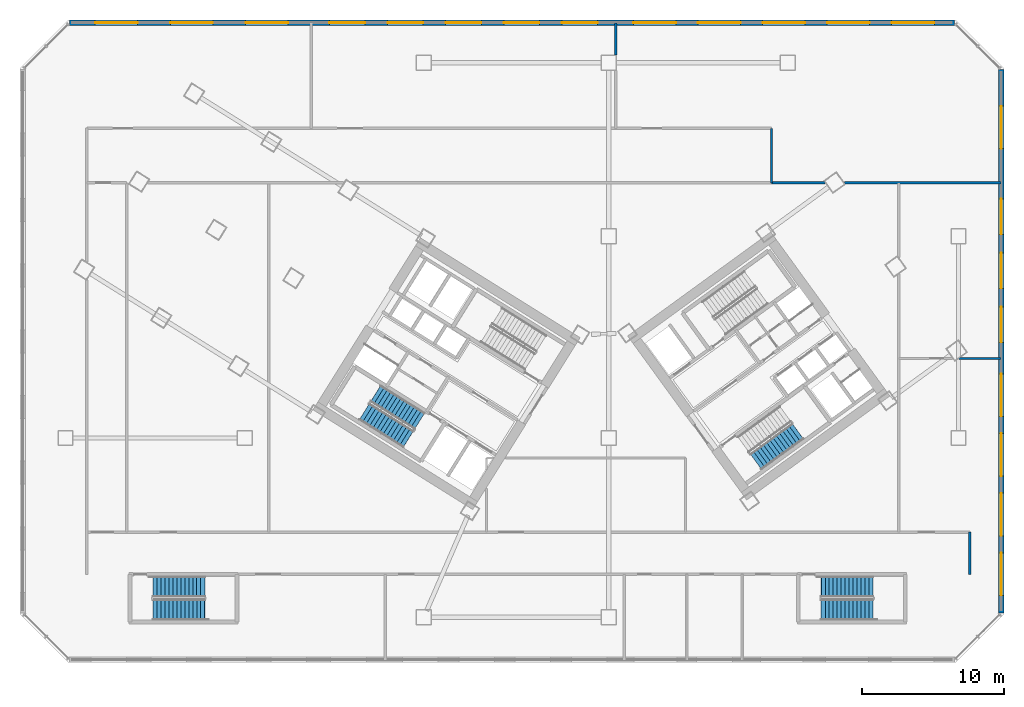
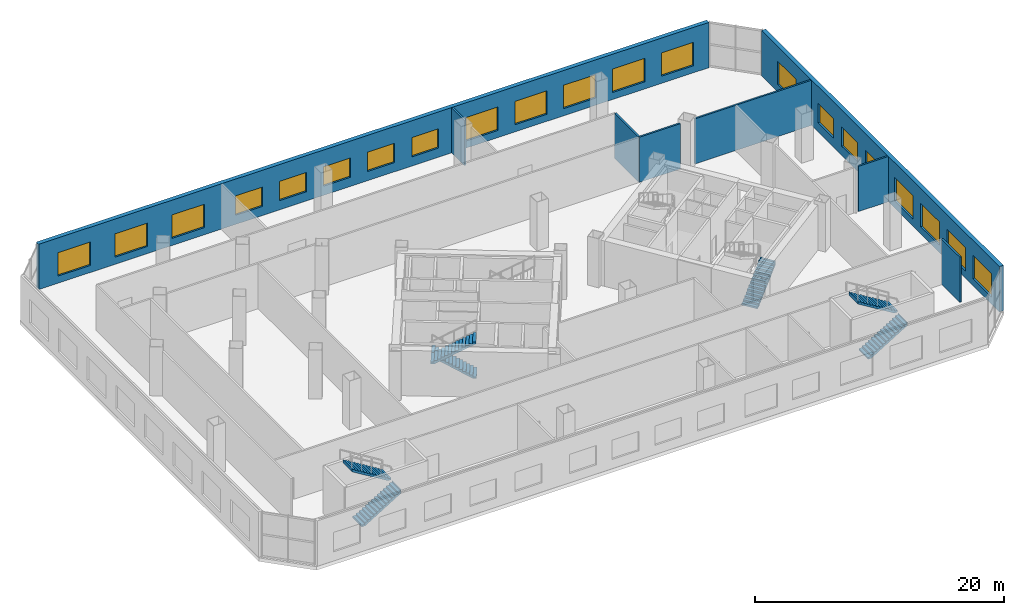
# One storey, part 14 of 22: 21 windows, 8 walls, 7 stair flights, 21 openings, 4 elements without a shape of their own.
"""IFC4 building model written with IfcOpenShell, lengths in metres."""

from ifc_helpers import new_model, si_unit, direction, frame, frame_2d, origin, place, context, subcontext, project, spatial, polyline, rectangle, outline, extrude, source, transform, mapped, material, layer, layer_set, type_object, element, fill, aggregate, save


model = new_model("IFC4")

# Units and contexts
model_context = context("Model", 3, precision=1e-05, world=origin(), true_north=direction((0.0, 1.0)))
body_context = subcontext(model_context, "Body", "Model", "MODEL_VIEW")
ifc_project = project(units=[si_unit("LENGTHUNIT", "METRE"), si_unit("AREAUNIT", "SQUARE_METRE"), si_unit("VOLUMEUNIT", "CUBIC_METRE"), si_unit("PLANEANGLEUNIT", "RADIAN"), si_unit("MASSUNIT", "GRAM", prefix="KILO")], contexts=[model_context])

# Site, building, storey
site_placement = place(None, origin())
site = spatial("IfcSite", under=ifc_project, at=site_placement, CompositionType="ELEMENT")
building_placement = place(site_placement, origin())
building = spatial("IfcBuilding", under=site, at=building_placement, Name="Tlacorven Tower", CompositionType="ELEMENT")
storey_placement = place(building_placement, frame((0.0, 0.0, 5.39990234375)))
storey = spatial("IfcBuildingStorey", under=building, at=storey_placement, Name="L01", CompositionType="ELEMENT", Elevation=5.39990234375)

# Walls
ifc_material_1 = material(Name="Gypsum plasterboard acoustic partition", Category="gypsum")
ifc_layer_1 = layer(ifc_material_1, 0.159912109375)
ifc_layer_set_1 = layer_set([ifc_layer_1], Name="Gypsum plasterboard acoustic partition")
wall_type_1 = type_object("IfcWallType", Name="WL-DEM-160", PredefinedType="PARTITIONING", material=ifc_layer_set_1)
wall_1_placement = place(storey_placement, frame((54.25, 35.14990234375, 0.0), z_axis=(0.0, 0.0, 1.0), x_axis=(0.0, 1.0, 0.0)))
element("IfcWall", 1, at=wall_1_placement, inside=storey, type_object=wall_type_1, Name="L01 partition 78", PredefinedType="PARTITIONING", context=body_context, shape_type="SweptSolid", body=[
    extrude(rectangle(XDim=3.830078125, YDim=0.159912109375, at=frame_2d((1.9150390625, 0.0))), origin(), (0.0, 0.0, 1.0), 4.440185546875),
])
wall_2_placement = place(storey_placement, frame((43.2900390625, 44.152099609375, 0.0), z_axis=(0.0, 0.0, 1.0), x_axis=(0.0, 1.0, 0.0)))
element("IfcWall", 2, at=wall_2_placement, inside=storey, type_object=wall_type_1, Name="L01 partition 81", PredefinedType="PARTITIONING", context=body_context, shape_type="SweptSolid", body=[
    extrude(rectangle(XDim=2.247802734375, YDim=0.159912109375, at=frame_2d((1.1240234375, 0.0))), origin(), (0.0, 0.0, 1.0), 4.440185546875),
])
wall_3_placement = place(storey_placement, frame((54.25, 35.14990234375, 0.0), z_axis=(0.0, 0.0, 1.0), x_axis=(1.0, 0.0, 0.0)))
element("IfcWall", 3, at=wall_3_placement, inside=storey, type_object=wall_type_1, Name="L01 partition 84", PredefinedType="PARTITIONING", context=body_context, shape_type="SweptSolid", body=[
    extrude(rectangle(XDim=3.764892578125, YDim=0.159912109375, at=frame_2d((1.88232421875, 0.0))), origin(), (0.0, 0.0, 1.0), 4.440185546875),
])
wall_4_placement = place(storey_placement, frame((59.37939453125, 35.14990234375, 0.0), z_axis=(0.0, 0.0, 1.0), x_axis=(1.0, 0.0, 0.0)))
element("IfcWall", 4, at=wall_4_placement, inside=storey, type_object=wall_type_1, Name="L01 partition 84", PredefinedType="PARTITIONING", context=body_context, shape_type="SweptSolid", body=[
    extrude(rectangle(XDim=11.0205078125, YDim=0.159912109375, at=frame_2d((5.51025390625, 0.0))), origin(), (0.0, 0.0, 1.0), 4.440185546875),
])
wall_5_placement = place(storey_placement, frame((68.199951171875, 7.6201171875, 0.0), z_axis=(0.0, 0.0, 1.0), x_axis=(0.0, 1.0, 0.0)))
element("IfcWall", 5, at=wall_5_placement, inside=storey, type_object=wall_type_1, Name="L01 partition 85", PredefinedType="PARTITIONING", context=body_context, shape_type="SweptSolid", body=[
    extrude(rectangle(XDim=2.9599609375, YDim=0.159912109375, at=frame_2d((1.47998046875, 0.0))), origin(), (0.0, 0.0, 1.0), 4.440185546875),
])
wall_6_placement = place(storey_placement, frame((67.445068359375, 22.800048828125, 0.0), z_axis=(0.0, 0.0, 1.0), x_axis=(1.0, 0.0, 0.0)))
element("IfcWall", 6, at=wall_6_placement, inside=storey, type_object=wall_type_1, Name="L01 partition 86", PredefinedType="PARTITIONING", context=body_context, shape_type="SweptSolid", body=[
    extrude(rectangle(XDim=2.954833984375, YDim=0.159912109375, at=frame_2d((1.4775390625, 0.0))), origin(), (0.0, 0.0, 1.0), 4.440185546875),
])

# Wall, openings, windows
ifc_material_2 = material(Name="Precast concrete C45/55", Category="concrete")
ifc_layer_2 = layer(ifc_material_2, 0.3798828125)
ifc_layer_set_2 = layer_set([ifc_layer_2], Name="Precast concrete C45/55")
wall_type_2 = type_object("IfcWallType", Name="WL-EXT-380", PredefinedType="STANDARD", material=ifc_layer_set_2)
wall_7_placement = place(storey_placement, frame((4.8828125, 46.39990234375, 0.0), z_axis=(0.0, 0.0, 1.0), x_axis=(1.0, 0.0, 0.0)))
wall_7 = element("IfcWall", 7, at=wall_7_placement, inside=storey, type_object=wall_type_2, Name="L01 Podium Masonry-Frame Facade Wall 4", PredefinedType="STANDARD", context=body_context, shape_type="SweptSolid", body=[
    extrude(rectangle(XDim=62.234375, YDim=0.3798828125, at=frame_2d((31.1171875, 0.0))), origin(), (0.0, 0.0, 1.0), 4.4501953125),
])
opening_1_placement = place(wall_7_placement, frame((1.796142578125, 0.0, 0.699951171875)))
opening_1 = element("IfcOpeningElement", 8, at=opening_1_placement, cuts=wall_7, Name="Opening WN17", PredefinedType="OPENING", context=body_context, shape_type="SweptSolid", body=[
    extrude(rectangle(XDim=3.0, YDim=2.300048828125, at=frame_2d((1.5, 1.14990234375))), frame((0.0, 0.199951171875, 0.0), z_axis=(0.0, -1.0, 0.0), x_axis=(1.0, 0.0, 0.0)), (0.0, 0.0, 1.0), 0.39990234375),
])
opening_2_placement = place(wall_7_placement, frame((7.088623046875, 0.0, 0.699951171875)))
opening_2 = element("IfcOpeningElement", 9, at=opening_2_placement, cuts=wall_7, Name="Opening WN17", PredefinedType="OPENING", context=body_context, shape_type="SweptSolid", body=[
    extrude(rectangle(XDim=3.0, YDim=2.300048828125, at=frame_2d((1.5, 1.14990234375))), frame((0.0, 0.199951171875, 0.0), z_axis=(0.0, -1.0, 0.0), x_axis=(1.0, 0.0, 0.0)), (0.0, 0.0, 1.0), 0.39990234375),
])
opening_3_placement = place(wall_7_placement, frame((12.381103515625, 0.0, 0.699951171875)))
opening_3 = element("IfcOpeningElement", 10, at=opening_3_placement, cuts=wall_7, Name="Opening WN17", PredefinedType="OPENING", context=body_context, shape_type="SweptSolid", body=[
    extrude(rectangle(XDim=3.0, YDim=2.300048828125, at=frame_2d((1.5, 1.14990234375))), frame((0.0, 0.199951171875, 0.0), z_axis=(0.0, -1.0, 0.0), x_axis=(1.0, 0.0, 0.0)), (0.0, 0.0, 1.0), 0.39990234375),
])
opening_4_placement = place(wall_7_placement, frame((18.28125, 0.0, 0.89990234375)))
opening_4 = element("IfcOpeningElement", 11, at=opening_4_placement, cuts=wall_7, Name="Opening WN18", PredefinedType="OPENING", context=body_context, shape_type="SweptSolid", body=[
    extrude(rectangle(XDim=2.5, YDim=1.89990234375, at=frame_2d((1.25, 0.949951171875))), frame((0.0, 0.199951171875, 0.0), z_axis=(0.0, -1.0, 0.0), x_axis=(1.0, 0.0, 0.0)), (0.0, 0.0, 1.0), 0.39990234375),
])
opening_5_placement = place(wall_7_placement, frame((22.369140625, 0.0, 0.89990234375)))
opening_5 = element("IfcOpeningElement", 12, at=opening_5_placement, cuts=wall_7, Name="Opening WN18", PredefinedType="OPENING", context=body_context, shape_type="SweptSolid", body=[
    extrude(rectangle(XDim=2.5, YDim=1.89990234375, at=frame_2d((1.25, 0.949951171875))), frame((0.0, 0.199951171875, 0.0), z_axis=(0.0, -1.0, 0.0), x_axis=(1.0, 0.0, 0.0)), (0.0, 0.0, 1.0), 0.39990234375),
])
opening_6_placement = place(wall_7_placement, frame((26.457275390625, 0.0, 0.89990234375)))
opening_6 = element("IfcOpeningElement", 13, at=opening_6_placement, cuts=wall_7, Name="Opening WN18", PredefinedType="OPENING", context=body_context, shape_type="SweptSolid", body=[
    extrude(rectangle(XDim=2.5, YDim=1.89990234375, at=frame_2d((1.25, 0.949951171875))), frame((0.0, 0.199951171875, 0.0), z_axis=(0.0, -1.0, 0.0), x_axis=(1.0, 0.0, 0.0)), (0.0, 0.0, 1.0), 0.39990234375),
])
opening_7_placement = place(wall_7_placement, frame((30.545166015625, 0.0, 0.89990234375)))
opening_7 = element("IfcOpeningElement", 14, at=opening_7_placement, cuts=wall_7, Name="Opening WN18", PredefinedType="OPENING", context=body_context, shape_type="SweptSolid", body=[
    extrude(rectangle(XDim=2.5, YDim=1.89990234375, at=frame_2d((1.25, 0.949951171875))), frame((0.0, 0.199951171875, 0.0), z_axis=(0.0, -1.0, 0.0), x_axis=(1.0, 0.0, 0.0)), (0.0, 0.0, 1.0), 0.39990234375),
])
opening_8_placement = place(wall_7_placement, frame((34.63330078125, 0.0, 0.89990234375)))
opening_8 = element("IfcOpeningElement", 15, at=opening_8_placement, cuts=wall_7, Name="Opening WN18", PredefinedType="OPENING", context=body_context, shape_type="SweptSolid", body=[
    extrude(rectangle(XDim=2.5, YDim=1.89990234375, at=frame_2d((1.25, 0.949951171875))), frame((0.0, 0.199951171875, 0.0), z_axis=(0.0, -1.0, 0.0), x_axis=(1.0, 0.0, 0.0)), (0.0, 0.0, 1.0), 0.39990234375),
])
opening_9_placement = place(wall_7_placement, frame((39.656982421875, 0.0, 0.699951171875)))
opening_9 = element("IfcOpeningElement", 16, at=opening_9_placement, cuts=wall_7, Name="Opening WN17", PredefinedType="OPENING", context=body_context, shape_type="SweptSolid", body=[
    extrude(rectangle(XDim=3.0, YDim=2.300048828125, at=frame_2d((1.5, 1.14990234375))), frame((0.0, 0.199951171875, 0.0), z_axis=(0.0, -1.0, 0.0), x_axis=(1.0, 0.0, 0.0)), (0.0, 0.0, 1.0), 0.39990234375),
])
opening_10_placement = place(wall_7_placement, frame((44.1962890625, 0.0, 0.699951171875)))
opening_10 = element("IfcOpeningElement", 17, at=opening_10_placement, cuts=wall_7, Name="Opening WN17", PredefinedType="OPENING", context=body_context, shape_type="SweptSolid", body=[
    extrude(rectangle(XDim=3.0, YDim=2.300048828125, at=frame_2d((1.5, 1.14990234375))), frame((0.0, 0.199951171875, 0.0), z_axis=(0.0, -1.0, 0.0), x_axis=(1.0, 0.0, 0.0)), (0.0, 0.0, 1.0), 0.39990234375),
])
opening_11_placement = place(wall_7_placement, frame((48.735595703125, 0.0, 0.699951171875)))
opening_11 = element("IfcOpeningElement", 18, at=opening_11_placement, cuts=wall_7, Name="Opening WN17", PredefinedType="OPENING", context=body_context, shape_type="SweptSolid", body=[
    extrude(rectangle(XDim=3.0, YDim=2.300048828125, at=frame_2d((1.5, 1.14990234375))), frame((0.0, 0.199951171875, 0.0), z_axis=(0.0, -1.0, 0.0), x_axis=(1.0, 0.0, 0.0)), (0.0, 0.0, 1.0), 0.39990234375),
])
opening_12_placement = place(wall_7_placement, frame((53.275146484375, 0.0, 0.699951171875)))
opening_12 = element("IfcOpeningElement", 19, at=opening_12_placement, cuts=wall_7, Name="Opening WN17", PredefinedType="OPENING", context=body_context, shape_type="SweptSolid", body=[
    extrude(rectangle(XDim=3.0, YDim=2.300048828125, at=frame_2d((1.5, 1.14990234375))), frame((0.0, 0.199951171875, 0.0), z_axis=(0.0, -1.0, 0.0), x_axis=(1.0, 0.0, 0.0)), (0.0, 0.0, 1.0), 0.39990234375),
])
opening_13_placement = place(wall_7_placement, frame((57.814697265625, 0.0, 0.699951171875)))
opening_13 = element("IfcOpeningElement", 20, at=opening_13_placement, cuts=wall_7, Name="Opening WN17", PredefinedType="OPENING", context=body_context, shape_type="SweptSolid", body=[
    extrude(rectangle(XDim=3.0, YDim=2.300048828125, at=frame_2d((1.5, 1.14990234375))), frame((0.0, 0.199951171875, 0.0), z_axis=(0.0, -1.0, 0.0), x_axis=(1.0, 0.0, 0.0)), (0.0, 0.0, 1.0), 0.39990234375),
])
ifc_material_3 = material(Name="Dark solar low-E double glazing in anodised aluminium frame", Category="aluminium")
window_type_1 = type_object("IfcWindowType", Name="WN-STN-3000X2600", PartitioningType="SINGLE_PANEL", PredefinedType="WINDOW", material=ifc_material_3)
shared_shape_1 = source(origin(), body_context, "Body", "SweptSolid", [
    extrude(rectangle(XDim=3.0, YDim=2.300048828125, at=frame_2d((1.5, 1.14990234375))), frame((0.0, 0.030029296875, 0.0), z_axis=(0.0, -1.0, 0.0), x_axis=(1.0, 0.0, 0.0)), (0.0, 0.0, 1.0), 0.06005859375),
])
window_1_placement = place(opening_1_placement, origin())
window_1 = element("IfcWindow", 21, at=window_1_placement, inside=storey, type_object=window_type_1, Name="L01 Podium Recessed Facade Window 4.1", OverallHeight=2.300048828125, OverallWidth=3.0, PartitioningType="SINGLE_PANEL", PredefinedType="WINDOW", context=body_context, shape_type="MappedRepresentation", body=[
    mapped(shared_shape_1, transform((0.0, 0.0, 0.0), scale=1.0)),
])
fill(opening_1, window_1)
window_2_placement = place(opening_2_placement, origin())
window_2 = element("IfcWindow", 22, at=window_2_placement, inside=storey, type_object=window_type_1, Name="L01 Podium Recessed Facade Window 4.2", OverallHeight=2.300048828125, OverallWidth=3.0, PartitioningType="SINGLE_PANEL", PredefinedType="WINDOW", context=body_context, shape_type="MappedRepresentation", body=[
    mapped(shared_shape_1, transform((0.0, 0.0, 0.0), scale=1.0)),
])
fill(opening_2, window_2)
window_3_placement = place(opening_3_placement, origin())
window_3 = element("IfcWindow", 23, at=window_3_placement, inside=storey, type_object=window_type_1, Name="L01 Podium Recessed Facade Window 4.3", OverallHeight=2.300048828125, OverallWidth=3.0, PartitioningType="SINGLE_PANEL", PredefinedType="WINDOW", context=body_context, shape_type="MappedRepresentation", body=[
    mapped(shared_shape_1, transform((0.0, 0.0, 0.0), scale=1.0)),
])
fill(opening_3, window_3)
window_4_placement = place(opening_9_placement, origin())
window_4 = element("IfcWindow", 24, at=window_4_placement, inside=storey, type_object=window_type_1, Name="L01 Podium Recessed Facade Window 4.9", OverallHeight=2.300048828125, OverallWidth=3.0, PartitioningType="SINGLE_PANEL", PredefinedType="WINDOW", context=body_context, shape_type="MappedRepresentation", body=[
    mapped(shared_shape_1, transform((0.0, 0.0, 0.0), scale=1.0)),
])
fill(opening_9, window_4)
window_5_placement = place(opening_10_placement, origin())
window_5 = element("IfcWindow", 25, at=window_5_placement, inside=storey, type_object=window_type_1, Name="L01 Podium Recessed Facade Window 4.10", OverallHeight=2.300048828125, OverallWidth=3.0, PartitioningType="SINGLE_PANEL", PredefinedType="WINDOW", context=body_context, shape_type="MappedRepresentation", body=[
    mapped(shared_shape_1, transform((0.0, 0.0, 0.0), scale=1.0)),
])
fill(opening_10, window_5)
window_6_placement = place(opening_11_placement, origin())
window_6 = element("IfcWindow", 26, at=window_6_placement, inside=storey, type_object=window_type_1, Name="L01 Podium Recessed Facade Window 4.11", OverallHeight=2.300048828125, OverallWidth=3.0, PartitioningType="SINGLE_PANEL", PredefinedType="WINDOW", context=body_context, shape_type="MappedRepresentation", body=[
    mapped(shared_shape_1, transform((0.0, 0.0, 0.0), scale=1.0)),
])
fill(opening_11, window_6)
window_7_placement = place(opening_12_placement, origin())
window_7 = element("IfcWindow", 27, at=window_7_placement, inside=storey, type_object=window_type_1, Name="L01 Podium Recessed Facade Window 4.12", OverallHeight=2.300048828125, OverallWidth=3.0, PartitioningType="SINGLE_PANEL", PredefinedType="WINDOW", context=body_context, shape_type="MappedRepresentation", body=[
    mapped(shared_shape_1, transform((0.0, 0.0, 0.0), scale=1.0)),
])
fill(opening_12, window_7)
window_8_placement = place(opening_13_placement, origin())
window_8 = element("IfcWindow", 28, at=window_8_placement, inside=storey, type_object=window_type_1, Name="L01 Podium Recessed Facade Window 4.13", OverallHeight=2.300048828125, OverallWidth=3.0, PartitioningType="SINGLE_PANEL", PredefinedType="WINDOW", context=body_context, shape_type="MappedRepresentation", body=[
    mapped(shared_shape_1, transform((0.0, 0.0, 0.0), scale=1.0)),
])
fill(opening_13, window_8)
window_type_2 = type_object("IfcWindowType", Name="WN-STN-2500X2000", PartitioningType="SINGLE_PANEL", PredefinedType="WINDOW", material=ifc_material_3)
shared_shape_2 = source(origin(), body_context, "Body", "SweptSolid", [
    extrude(rectangle(XDim=2.5, YDim=1.89990234375, at=frame_2d((1.25, 0.949951171875))), frame((0.0, 0.030029296875, 0.0), z_axis=(0.0, -1.0, 0.0), x_axis=(1.0, 0.0, 0.0)), (0.0, 0.0, 1.0), 0.06005859375),
])
window_9_placement = place(opening_4_placement, origin())
window_9 = element("IfcWindow", 29, at=window_9_placement, inside=storey, type_object=window_type_2, Name="L01 Podium Recessed Facade Window 4.4", OverallHeight=1.89990234375, OverallWidth=2.5, PartitioningType="SINGLE_PANEL", PredefinedType="WINDOW", context=body_context, shape_type="MappedRepresentation", body=[
    mapped(shared_shape_2, transform((0.0, 0.0, 0.0), scale=1.0)),
])
fill(opening_4, window_9)
window_10_placement = place(opening_5_placement, origin())
window_10 = element("IfcWindow", 30, at=window_10_placement, inside=storey, type_object=window_type_2, Name="L01 Podium Recessed Facade Window 4.5", OverallHeight=1.89990234375, OverallWidth=2.5, PartitioningType="SINGLE_PANEL", PredefinedType="WINDOW", context=body_context, shape_type="MappedRepresentation", body=[
    mapped(shared_shape_2, transform((0.0, 0.0, 0.0), scale=1.0)),
])
fill(opening_5, window_10)
window_11_placement = place(opening_6_placement, origin())
window_11 = element("IfcWindow", 31, at=window_11_placement, inside=storey, type_object=window_type_2, Name="L01 Podium Recessed Facade Window 4.6", OverallHeight=1.89990234375, OverallWidth=2.5, PartitioningType="SINGLE_PANEL", PredefinedType="WINDOW", context=body_context, shape_type="MappedRepresentation", body=[
    mapped(shared_shape_2, transform((0.0, 0.0, 0.0), scale=1.0)),
])
fill(opening_6, window_11)
window_12_placement = place(opening_7_placement, origin())
window_12 = element("IfcWindow", 32, at=window_12_placement, inside=storey, type_object=window_type_2, Name="L01 Podium Recessed Facade Window 4.7", OverallHeight=1.89990234375, OverallWidth=2.5, PartitioningType="SINGLE_PANEL", PredefinedType="WINDOW", context=body_context, shape_type="MappedRepresentation", body=[
    mapped(shared_shape_2, transform((0.0, 0.0, 0.0), scale=1.0)),
])
fill(opening_7, window_12)
window_13_placement = place(opening_8_placement, origin())
window_13 = element("IfcWindow", 33, at=window_13_placement, inside=storey, type_object=window_type_2, Name="L01 Podium Recessed Facade Window 4.8", OverallHeight=1.89990234375, OverallWidth=2.5, PartitioningType="SINGLE_PANEL", PredefinedType="WINDOW", context=body_context, shape_type="MappedRepresentation", body=[
    mapped(shared_shape_2, transform((0.0, 0.0, 0.0), scale=1.0)),
])
fill(opening_8, window_13)

wall_8_placement = place(storey_placement, frame((70.39990234375, 43.1171875, 0.0), z_axis=(0.0, 0.0, 1.0), x_axis=(0.0, -1.0, 0.0)))
wall_8 = element("IfcWall", 34, at=wall_8_placement, inside=storey, type_object=wall_type_2, Name="L01 Podium Masonry-Frame Facade Wall 6", PredefinedType="STANDARD", context=body_context, shape_type="SweptSolid", body=[
    extrude(rectangle(XDim=38.234375, YDim=0.3798828125, at=frame_2d((19.1171875, 0.0))), origin(), (0.0, 0.0, 1.0), 4.4501953125),
])
opening_14_placement = place(wall_8_placement, frame((2.568603515625, 0.0, 0.699951171875)))
opening_14 = element("IfcOpeningElement", 35, at=opening_14_placement, cuts=wall_8, Name="Opening WN17", PredefinedType="OPENING", context=body_context, shape_type="SweptSolid", body=[
    extrude(rectangle(XDim=3.0, YDim=2.300048828125, at=frame_2d((1.5, 1.14990234375))), frame((0.0, 0.199951171875, 0.0), z_axis=(0.0, -1.0, 0.0), x_axis=(1.0, 0.0, 0.0)), (0.0, 0.0, 1.0), 0.39990234375),
])
opening_15_placement = place(wall_8_placement, frame((9.095458984375, 0.0, 0.89990234375)))
opening_15 = element("IfcOpeningElement", 36, at=opening_15_placement, cuts=wall_8, Name="Opening WN18", PredefinedType="OPENING", context=body_context, shape_type="SweptSolid", body=[
    extrude(rectangle(XDim=2.5, YDim=1.89990234375, at=frame_2d((1.25, 0.949951171875))), frame((0.0, 0.199951171875, 0.0), z_axis=(0.0, -1.0, 0.0), x_axis=(1.0, 0.0, 0.0)), (0.0, 0.0, 1.0), 0.39990234375),
])
opening_16_placement = place(wall_8_placement, frame((12.89208984375, 0.0, 0.89990234375)))
opening_16 = element("IfcOpeningElement", 37, at=opening_16_placement, cuts=wall_8, Name="Opening WN18", PredefinedType="OPENING", context=body_context, shape_type="SweptSolid", body=[
    extrude(rectangle(XDim=2.5, YDim=1.89990234375, at=frame_2d((1.25, 0.949951171875))), frame((0.0, 0.199951171875, 0.0), z_axis=(0.0, -1.0, 0.0), x_axis=(1.0, 0.0, 0.0)), (0.0, 0.0, 1.0), 0.39990234375),
])
opening_17_placement = place(wall_8_placement, frame((16.688720703125, 0.0, 0.89990234375)))
opening_17 = element("IfcOpeningElement", 38, at=opening_17_placement, cuts=wall_8, Name="Opening WN18", PredefinedType="OPENING", context=body_context, shape_type="SweptSolid", body=[
    extrude(rectangle(XDim=2.5, YDim=1.89990234375, at=frame_2d((1.25, 0.949951171875))), frame((0.0, 0.199951171875, 0.0), z_axis=(0.0, -1.0, 0.0), x_axis=(1.0, 0.0, 0.0)), (0.0, 0.0, 1.0), 0.39990234375),
])
opening_18_placement = place(wall_8_placement, frame((21.3955078125, 0.0, 0.699951171875)))
opening_18 = element("IfcOpeningElement", 39, at=opening_18_placement, cuts=wall_8, Name="Opening WN17", PredefinedType="OPENING", context=body_context, shape_type="SweptSolid", body=[
    extrude(rectangle(XDim=3.0, YDim=2.300048828125, at=frame_2d((1.5, 1.14990234375))), frame((0.0, 0.199951171875, 0.0), z_axis=(0.0, -1.0, 0.0), x_axis=(1.0, 0.0, 0.0)), (0.0, 0.0, 1.0), 0.39990234375),
])
opening_19_placement = place(wall_8_placement, frame((25.59228515625, 0.0, 0.699951171875)))
opening_19 = element("IfcOpeningElement", 40, at=opening_19_placement, cuts=wall_8, Name="Opening WN17", PredefinedType="OPENING", context=body_context, shape_type="SweptSolid", body=[
    extrude(rectangle(XDim=3.0, YDim=2.300048828125, at=frame_2d((1.5, 1.14990234375))), frame((0.0, 0.199951171875, 0.0), z_axis=(0.0, -1.0, 0.0), x_axis=(1.0, 0.0, 0.0)), (0.0, 0.0, 1.0), 0.39990234375),
])
opening_20_placement = place(wall_8_placement, frame((29.7890625, 0.0, 0.699951171875)))
opening_20 = element("IfcOpeningElement", 41, at=opening_20_placement, cuts=wall_8, Name="Opening WN17", PredefinedType="OPENING", context=body_context, shape_type="SweptSolid", body=[
    extrude(rectangle(XDim=3.0, YDim=2.300048828125, at=frame_2d((1.5, 1.14990234375))), frame((0.0, 0.199951171875, 0.0), z_axis=(0.0, -1.0, 0.0), x_axis=(1.0, 0.0, 0.0)), (0.0, 0.0, 1.0), 0.39990234375),
])
opening_21_placement = place(wall_8_placement, frame((33.98583984375, 0.0, 0.699951171875)))
opening_21 = element("IfcOpeningElement", 42, at=opening_21_placement, cuts=wall_8, Name="Opening WN17", PredefinedType="OPENING", context=body_context, shape_type="SweptSolid", body=[
    extrude(rectangle(XDim=3.0, YDim=2.300048828125, at=frame_2d((1.5, 1.14990234375))), frame((0.0, 0.199951171875, 0.0), z_axis=(0.0, -1.0, 0.0), x_axis=(1.0, 0.0, 0.0)), (0.0, 0.0, 1.0), 0.39990234375),
])
window_14_placement = place(opening_14_placement, origin())
window_14 = element("IfcWindow", 43, at=window_14_placement, inside=storey, type_object=window_type_1, Name="L01 Podium Recessed Facade Window 6.1", OverallHeight=2.300048828125, OverallWidth=3.0, PartitioningType="SINGLE_PANEL", PredefinedType="WINDOW", context=body_context, shape_type="MappedRepresentation", body=[
    mapped(shared_shape_1, transform((0.0, 0.0, 0.0), scale=1.0)),
])
fill(opening_14, window_14)
window_15_placement = place(opening_18_placement, origin())
window_15 = element("IfcWindow", 44, at=window_15_placement, inside=storey, type_object=window_type_1, Name="L01 Podium Recessed Facade Window 6.5", OverallHeight=2.300048828125, OverallWidth=3.0, PartitioningType="SINGLE_PANEL", PredefinedType="WINDOW", context=body_context, shape_type="MappedRepresentation", body=[
    mapped(shared_shape_1, transform((0.0, 0.0, 0.0), scale=1.0)),
])
fill(opening_18, window_15)
window_16_placement = place(opening_19_placement, origin())
window_16 = element("IfcWindow", 45, at=window_16_placement, inside=storey, type_object=window_type_1, Name="L01 Podium Recessed Facade Window 6.6", OverallHeight=2.300048828125, OverallWidth=3.0, PartitioningType="SINGLE_PANEL", PredefinedType="WINDOW", context=body_context, shape_type="MappedRepresentation", body=[
    mapped(shared_shape_1, transform((0.0, 0.0, 0.0), scale=1.0)),
])
fill(opening_19, window_16)
window_17_placement = place(opening_20_placement, origin())
window_17 = element("IfcWindow", 46, at=window_17_placement, inside=storey, type_object=window_type_1, Name="L01 Podium Recessed Facade Window 6.7", OverallHeight=2.300048828125, OverallWidth=3.0, PartitioningType="SINGLE_PANEL", PredefinedType="WINDOW", context=body_context, shape_type="MappedRepresentation", body=[
    mapped(shared_shape_1, transform((0.0, 0.0, 0.0), scale=1.0)),
])
fill(opening_20, window_17)
window_18_placement = place(opening_21_placement, origin())
window_18 = element("IfcWindow", 47, at=window_18_placement, inside=storey, type_object=window_type_1, Name="L01 Podium Recessed Facade Window 6.8", OverallHeight=2.300048828125, OverallWidth=3.0, PartitioningType="SINGLE_PANEL", PredefinedType="WINDOW", context=body_context, shape_type="MappedRepresentation", body=[
    mapped(shared_shape_1, transform((0.0, 0.0, 0.0), scale=1.0)),
])
fill(opening_21, window_18)
window_19_placement = place(opening_15_placement, origin())
window_19 = element("IfcWindow", 48, at=window_19_placement, inside=storey, type_object=window_type_2, Name="L01 Podium Recessed Facade Window 6.2", OverallHeight=1.89990234375, OverallWidth=2.5, PartitioningType="SINGLE_PANEL", PredefinedType="WINDOW", context=body_context, shape_type="MappedRepresentation", body=[
    mapped(shared_shape_2, transform((0.0, 0.0, 0.0), scale=1.0)),
])
fill(opening_15, window_19)
window_20_placement = place(opening_16_placement, origin())
window_20 = element("IfcWindow", 49, at=window_20_placement, inside=storey, type_object=window_type_2, Name="L01 Podium Recessed Facade Window 6.3", OverallHeight=1.89990234375, OverallWidth=2.5, PartitioningType="SINGLE_PANEL", PredefinedType="WINDOW", context=body_context, shape_type="MappedRepresentation", body=[
    mapped(shared_shape_2, transform((0.0, 0.0, 0.0), scale=1.0)),
])
fill(opening_16, window_20)
window_21_placement = place(opening_17_placement, origin())
window_21 = element("IfcWindow", 50, at=window_21_placement, inside=storey, type_object=window_type_2, Name="L01 Podium Recessed Facade Window 6.4", OverallHeight=1.89990234375, OverallWidth=2.5, PartitioningType="SINGLE_PANEL", PredefinedType="WINDOW", context=body_context, shape_type="MappedRepresentation", body=[
    mapped(shared_shape_2, transform((0.0, 0.0, 0.0), scale=1.0)),
])
fill(opening_17, window_21)

# Stair, stair flights
ifc_material_4 = material(Name="Concrete C40/50", Category="concrete")
stair_type_1 = type_object("IfcStairType", Name="ST-CORE-DLG", PredefinedType="HALF_TURN_STAIR", material=ifc_material_4)
stair_1_placement = place(storey_placement, origin())
stair_1 = element("IfcStair", 51, at=stair_1_placement, inside=storey, type_object=stair_type_1, Name="L01 Protected Exit Stair West 1", PredefinedType="HALF_TURN_STAIR")
stair_flight_type_1 = type_object("IfcStairFlightType", Name="SFL-RC-1380", PredefinedType="STRAIGHT", material=ifc_material_4)
shared_shape_3 = source(origin(), body_context, "Body", "SweptSolid", [
    extrude(outline(polyline([(-0.0029296875, -0.0029296875), (-0.0029296875, 0.17138671875), (0.280029296875, 0.17138671875), (0.280029296875, 0.3427734375), (0.56005859375, 0.3427734375), (0.56005859375, 0.514404296875), (0.840087890625, 0.514404296875), (0.840087890625, 0.685791015625), (1.1201171875, 0.685791015625), (1.1201171875, 0.857177734375), (1.39990234375, 0.857177734375), (1.39990234375, 1.028564453125), (1.679931640625, 1.028564453125), (1.679931640625, 1.199951171875), (1.9599609375, 1.199951171875), (1.9599609375, 1.371337890625), (2.239990234375, 1.371337890625), (2.239990234375, 1.54296875), (2.52001953125, 1.54296875), (2.52001953125, 1.71435546875), (2.800048828125, 1.71435546875), (2.800048828125, 1.8857421875), (3.080078125, 1.8857421875), (3.080078125, 2.05712890625), (3.360107421875, 2.05712890625), (3.360107421875, 2.228515625), (3.639892578125, 2.228515625), (3.639892578125, 2.39990234375), (3.64306640625, 2.39990234375), (3.64306640625, 2.041015625), (3.639892578125, 2.041015625), (0.30615234375, 0.0), (0.30615234375, -0.0029296875), (-0.0029296875, -0.0029296875)])), frame((0.0, 0.68994140625, 0.0), z_axis=(0.0, -1.0, 0.0), x_axis=(1.0, 0.0, 0.0)), (0.0, 0.0, 1.0), 1.3798828125),
])
stair_flight_1_placement = place(storey_placement, frame((29.499755859375, 18.39453125, 0.0), z_axis=(0.0, 0.0, 1.0), x_axis=(-0.848048096156, 0.529919264233, 0.0)))
stair_flight_1 = element("IfcStairFlight", 52, at=stair_flight_1_placement, type_object=stair_flight_type_1, Name="ST-W1 flight 1", NumberOfRisers=14, NumberOfTreads=13, PredefinedType="STRAIGHT", RiserHeight=0.171428571, TreadLength=0.28, context=body_context, shape_type="MappedRepresentation", body=[
    mapped(shared_shape_3, transform((0.0, 0.0, 0.0), scale=1.0)),
])
stair_flight_2_placement = place(storey_placement, frame((25.6181640625, 19.051513671875, 2.400146484375), z_axis=(0.0, 0.0, 1.0), x_axis=(0.848048096156, -0.529919264233, 0.0)))
stair_flight_2 = element("IfcStairFlight", 53, at=stair_flight_2_placement, type_object=stair_flight_type_1, Name="ST-W1 flight 2", NumberOfRisers=14, NumberOfTreads=13, PredefinedType="STRAIGHT", RiserHeight=0.171428571, TreadLength=0.28, context=body_context, shape_type="MappedRepresentation", body=[
    mapped(shared_shape_3, transform((0.0, 0.0, 0.0), scale=1.0)),
])
aggregate(stair_1, [stair_flight_1, stair_flight_2])

# Stair, stair flight
stair_2_placement = place(storey_placement, origin())
stair_2 = element("IfcStair", 54, at=stair_2_placement, inside=storey, type_object=stair_type_1, Name="L01 Protected Exit Stair East 2", PredefinedType="HALF_TURN_STAIR")
stair_flight_3_placement = place(storey_placement, frame((53.157470703125, 15.536865234375, 0.0), z_axis=(0.0, 0.0, 1.0), x_axis=(0.809016994375, 0.587785252292, 0.0)))
stair_flight_3 = element("IfcStairFlight", 55, at=stair_flight_3_placement, type_object=stair_flight_type_1, Name="ST-E2 flight 1", NumberOfRisers=14, NumberOfTreads=13, PredefinedType="STRAIGHT", RiserHeight=0.171428571, TreadLength=0.28, context=body_context, shape_type="MappedRepresentation", body=[
    mapped(shared_shape_3, transform((0.0, 0.0, 0.0), scale=1.0)),
])
aggregate(stair_2, [stair_flight_3])

# Stair, stair flights
stair_type_2 = type_object("IfcStairType", Name="ST-POD-DLG", PredefinedType="HALF_TURN_STAIR", material=ifc_material_4)
stair_3_placement = place(storey_placement, origin())
stair_3 = element("IfcStair", 56, at=stair_3_placement, inside=storey, type_object=stair_type_2, Name="L01 Podium Station Exit Stair 1", PredefinedType="HALF_TURN_STAIR")
stair_flight_type_2 = type_object("IfcStairFlightType", Name="SFL-RC-1480", PredefinedType="STRAIGHT", material=ifc_material_4)
shared_shape_4 = source(origin(), body_context, "Body", "SweptSolid", [
    extrude(outline(polyline([(-0.0029296875, -0.0029296875), (-0.0029296875, 0.17138671875), (0.280029296875, 0.17138671875), (0.280029296875, 0.3427734375), (0.56005859375, 0.3427734375), (0.56005859375, 0.514404296875), (0.840087890625, 0.514404296875), (0.840087890625, 0.685791015625), (1.1201171875, 0.685791015625), (1.1201171875, 0.857177734375), (1.39990234375, 0.857177734375), (1.39990234375, 1.028564453125), (1.679931640625, 1.028564453125), (1.679931640625, 1.199951171875), (1.9599609375, 1.199951171875), (1.9599609375, 1.371337890625), (2.239990234375, 1.371337890625), (2.239990234375, 1.54296875), (2.52001953125, 1.54296875), (2.52001953125, 1.71435546875), (2.800048828125, 1.71435546875), (2.800048828125, 1.8857421875), (3.080078125, 1.8857421875), (3.080078125, 2.05712890625), (3.360107421875, 2.05712890625), (3.360107421875, 2.228515625), (3.639892578125, 2.228515625), (3.639892578125, 2.39990234375), (3.64306640625, 2.39990234375), (3.64306640625, 2.041015625), (3.639892578125, 2.041015625), (0.30615234375, 0.0), (0.30615234375, -0.0029296875), (-0.0029296875, -0.0029296875)])), frame((0.0, 0.739990234375, 0.0), z_axis=(0.0, -1.0, 0.0), x_axis=(1.0, 0.0, 0.0)), (0.0, 0.0, 1.0), 1.47998046875),
])
stair_flight_4_placement = place(storey_placement, frame((10.75, 5.139892578125, 0.0), z_axis=(0.0, 0.0, 1.0), x_axis=(1.0, 0.0, 0.0)))
stair_flight_4 = element("IfcStairFlight", 57, at=stair_flight_4_placement, type_object=stair_flight_type_2, Name="ST-P1 flight 1", NumberOfRisers=14, NumberOfTreads=13, PredefinedType="STRAIGHT", RiserHeight=0.171428571, TreadLength=0.28, context=body_context, shape_type="MappedRepresentation", body=[
    mapped(shared_shape_4, transform((0.0, 0.0, 0.0), scale=1.0)),
])
stair_flight_5_placement = place(storey_placement, frame((14.389892578125, 6.739990234375, 2.400146484375), z_axis=(0.0, 0.0, 1.0), x_axis=(-1.0, 0.0, 0.0)))
stair_flight_5 = element("IfcStairFlight", 58, at=stair_flight_5_placement, type_object=stair_flight_type_2, Name="ST-P1 flight 2", NumberOfRisers=14, NumberOfTreads=13, PredefinedType="STRAIGHT", RiserHeight=0.171428571, TreadLength=0.28, context=body_context, shape_type="MappedRepresentation", body=[
    mapped(shared_shape_4, transform((0.0, 0.0, 0.0), scale=1.0)),
])
aggregate(stair_3, [stair_flight_4, stair_flight_5])

stair_4_placement = place(storey_placement, origin())
stair_4 = element("IfcStair", 59, at=stair_4_placement, inside=storey, type_object=stair_type_2, Name="L01 Podium Station Exit Stair 2", PredefinedType="HALF_TURN_STAIR")
stair_flight_6_placement = place(storey_placement, frame((57.75, 5.139892578125, 0.0), z_axis=(0.0, 0.0, 1.0), x_axis=(1.0, 0.0, 0.0)))
stair_flight_6 = element("IfcStairFlight", 60, at=stair_flight_6_placement, type_object=stair_flight_type_2, Name="ST-P2 flight 1", NumberOfRisers=14, NumberOfTreads=13, PredefinedType="STRAIGHT", RiserHeight=0.171428571, TreadLength=0.28, context=body_context, shape_type="MappedRepresentation", body=[
    mapped(shared_shape_4, transform((0.0, 0.0, 0.0), scale=1.0)),
])
stair_flight_7_placement = place(storey_placement, frame((61.389892578125, 6.739990234375, 2.400146484375), z_axis=(0.0, 0.0, 1.0), x_axis=(-1.0, 0.0, 0.0)))
stair_flight_7 = element("IfcStairFlight", 61, at=stair_flight_7_placement, type_object=stair_flight_type_2, Name="ST-P2 flight 2", NumberOfRisers=14, NumberOfTreads=13, PredefinedType="STRAIGHT", RiserHeight=0.171428571, TreadLength=0.28, context=body_context, shape_type="MappedRepresentation", body=[
    mapped(shared_shape_4, transform((0.0, 0.0, 0.0), scale=1.0)),
])
aggregate(stair_4, [stair_flight_6, stair_flight_7])

save(model, "model.ifc")
